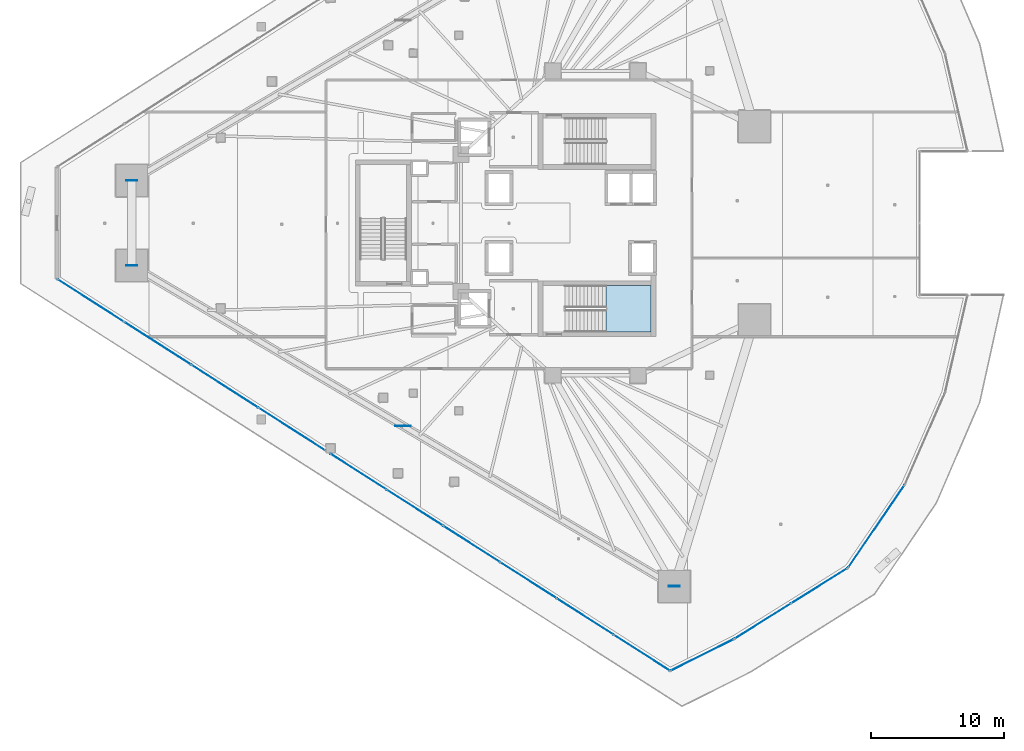
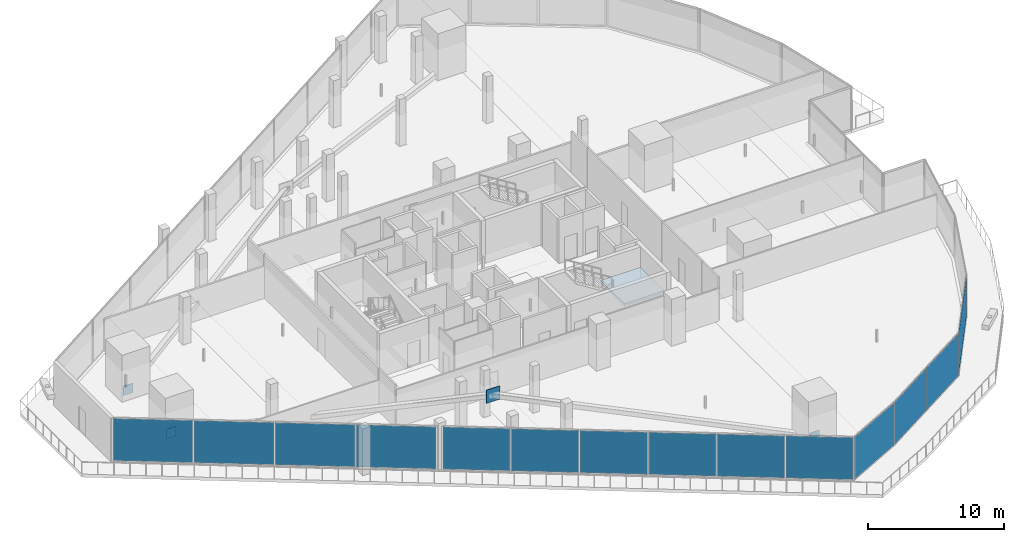
# One storey, part 27 of 43: 18 plates, 1 slab, 6 elements without a shape of their own.
"""IFC4 building model written with IfcOpenShell, lengths in metres."""

from ifc_helpers import new_model, si_unit, direction, frame, origin, origin_2d, place, context, subcontext, project, spatial, polyline, rectangle, outline, extrude, material, layer, layer_set, type_object, element, aggregate, save


model = new_model("IFC4")

# Units and contexts
model_context = context("Model", 3, precision=1e-05, world=origin(), true_north=direction((0.0, 1.0)))
body_context = subcontext(model_context, "Body", "Model", "MODEL_VIEW")
ifc_project = project(units=[si_unit("LENGTHUNIT", "METRE"), si_unit("AREAUNIT", "SQUARE_METRE"), si_unit("VOLUMEUNIT", "CUBIC_METRE"), si_unit("PLANEANGLEUNIT", "RADIAN"), si_unit("MASSUNIT", "GRAM", prefix="KILO")], contexts=[model_context])

# Site, building, storey
site_placement = place(None, origin())
site = spatial("IfcSite", under=ifc_project, at=site_placement, CompositionType="ELEMENT")
building_placement = place(site_placement, origin())
building = spatial("IfcBuilding", under=site, at=building_placement, Name="Qorvath Tower", CompositionType="ELEMENT")
storey_placement = place(building_placement, frame((0.0, 0.0, 36.60009765625)))
storey = spatial("IfcBuildingStorey", under=building, at=storey_placement, Name="L07", CompositionType="ELEMENT", Elevation=36.60009765625)

# Curtain wall, plates
ifc_material_1 = material(Name="Anodised aluminium and triple low-E glass", Category="aluminium")
ifc_layer_1 = layer(ifc_material_1, 0.179931640625)
ifc_layer_set_1 = layer_set([ifc_layer_1], Name="CW-SYS-2")
curtain_wall_type = type_object("IfcCurtainWallType", Name="CW-SYS-2", PredefinedType="NOTDEFINED", material=ifc_layer_set_1)
curtain_wall_1_placement = place(storey_placement, origin())
curtain_wall_1 = element("IfcCurtainWall", 1, at=curtain_wall_1_placement, inside=storey, type_object=curtain_wall_type, Name="Curtain Wall CW-2 CW-T-L07-2.1", PredefinedType="NOTDEFINED")
ifc_material_2 = material(Name="Low-E triple insulated glass", Category="glass")
ifc_layer_2 = layer(ifc_material_2, 0.031982421875)
ifc_layer_set_2 = layer_set([ifc_layer_2], Name="CWP-GLZ-32")
plate_type_1 = type_object("IfcPlateType", Name="CWP-GLZ-32", PredefinedType="CURTAIN_PANEL", material=ifc_layer_set_2)
plate_1_placement = place(storey_placement, frame((-58.363525390625, -5.8349609375, 0.06494140625), z_axis=(0.0, 0.0, 1.0), x_axis=(0.84260714152, -0.538528741164, 0.0)))
plate_1 = element("IfcPlate", 2, at=plate_1_placement, type_object=plate_type_1, Name="CW-2 panel 1.1", PredefinedType="CURTAIN_PANEL", context=body_context, shape_type="SweptSolid", body=[
    extrude(rectangle(XDim=5.895751953125, YDim=0.031982421875, at=origin_2d()), origin(), (0.0, 0.0, 1.0), 3.789794921875),
])
plate_2_placement = place(storey_placement, frame((-53.327392578125, -9.0537109375, 0.06494140625), z_axis=(0.0, 0.0, 1.0), x_axis=(0.84260714152, -0.538528741164, 0.0)))
plate_2 = element("IfcPlate", 3, at=plate_2_placement, type_object=plate_type_1, Name="CW-2 panel 2.1", PredefinedType="CURTAIN_PANEL", context=body_context, shape_type="SweptSolid", body=[
    extrude(rectangle(XDim=5.92822265625, YDim=0.031982421875, at=origin_2d()), origin(), (0.0, 0.0, 1.0), 3.789794921875),
])
plate_3_placement = place(storey_placement, frame((-48.27734375, -12.28125, 0.06494140625), z_axis=(0.0, 0.0, 1.0), x_axis=(0.84260714152, -0.538528741164, 0.0)))
plate_3 = element("IfcPlate", 4, at=plate_3_placement, type_object=plate_type_1, Name="CW-2 panel 3.1", PredefinedType="CURTAIN_PANEL", context=body_context, shape_type="SweptSolid", body=[
    extrude(rectangle(XDim=5.92822265625, YDim=0.031982421875, at=origin_2d()), origin(), (0.0, 0.0, 1.0), 3.789794921875),
])
plate_4_placement = place(storey_placement, frame((-43.240966796875, -15.5, 0.06494140625), z_axis=(0.0, 0.0, 1.0), x_axis=(0.84260714152, -0.538528741164, 0.0)))
plate_4 = element("IfcPlate", 5, at=plate_4_placement, type_object=plate_type_1, Name="CW-2 panel 4.1", PredefinedType="CURTAIN_PANEL", context=body_context, shape_type="SweptSolid", body=[
    extrude(rectangle(XDim=5.895751953125, YDim=0.031982421875, at=origin_2d()), origin(), (0.0, 0.0, 1.0), 3.789794921875),
])
aggregate(curtain_wall_1, [plate_1, plate_2, plate_3, plate_4])

curtain_wall_2_placement = place(storey_placement, origin())
curtain_wall_2 = element("IfcCurtainWall", 6, at=curtain_wall_2_placement, inside=storey, type_object=curtain_wall_type, Name="Curtain Wall CW-2 CW-T-L07-2.2", PredefinedType="NOTDEFINED")
plate_5_placement = place(storey_placement, frame((-38.236328125, -18.698974609375, 0.06494140625), z_axis=(0.0, 0.0, 1.0), x_axis=(0.842604679483, -0.538532593363, 0.0)))
plate_5 = element("IfcPlate", 7, at=plate_5_placement, type_object=plate_type_1, Name="CW-2 panel 1.1", PredefinedType="CURTAIN_PANEL", context=body_context, shape_type="SweptSolid", body=[
    extrude(rectangle(XDim=4.9697265625, YDim=0.031982421875, at=origin_2d()), origin(), (0.0, 0.0, 1.0), 3.789794921875),
])
plate_6_placement = place(storey_placement, frame((-33.98046875, -21.4189453125, 0.06494140625), z_axis=(0.0, 0.0, 1.0), x_axis=(0.842604679483, -0.538532593363, 0.0)))
plate_6 = element("IfcPlate", 8, at=plate_6_placement, type_object=plate_type_1, Name="CW-2 panel 2.1", PredefinedType="CURTAIN_PANEL", context=body_context, shape_type="SweptSolid", body=[
    extrude(rectangle(XDim=5.002197265625, YDim=0.031982421875, at=origin_2d()), origin(), (0.0, 0.0, 1.0), 3.789794921875),
])
plate_7_placement = place(storey_placement, frame((-29.710693359375, -24.147705078125, 0.06494140625), z_axis=(0.0, 0.0, 1.0), x_axis=(0.842604679483, -0.538532593363, 0.0)))
plate_7 = element("IfcPlate", 9, at=plate_7_placement, type_object=plate_type_1, Name="CW-2 panel 3.1", PredefinedType="CURTAIN_PANEL", context=body_context, shape_type="SweptSolid", body=[
    extrude(rectangle(XDim=5.002197265625, YDim=0.031982421875, at=origin_2d()), origin(), (0.0, 0.0, 1.0), 3.789794921875),
])
plate_8_placement = place(storey_placement, frame((-25.441162109375, -26.876708984375, 0.06494140625), z_axis=(0.0, 0.0, 1.0), x_axis=(0.842604679483, -0.538532593363, 0.0)))
plate_8 = element("IfcPlate", 10, at=plate_8_placement, type_object=plate_type_1, Name="CW-2 panel 4.1", PredefinedType="CURTAIN_PANEL", context=body_context, shape_type="SweptSolid", body=[
    extrude(rectangle(XDim=5.002197265625, YDim=0.031982421875, at=origin_2d()), origin(), (0.0, 0.0, 1.0), 3.789794921875),
])
plate_9_placement = place(storey_placement, frame((-21.171630859375, -29.60546875, 0.06494140625), z_axis=(0.0, 0.0, 1.0), x_axis=(0.842604679483, -0.538532593363, 0.0)))
plate_9 = element("IfcPlate", 11, at=plate_9_placement, type_object=plate_type_1, Name="CW-2 panel 5.1", PredefinedType="CURTAIN_PANEL", context=body_context, shape_type="SweptSolid", body=[
    extrude(rectangle(XDim=5.002197265625, YDim=0.031982421875, at=origin_2d()), origin(), (0.0, 0.0, 1.0), 3.789794921875),
])
plate_10_placement = place(storey_placement, frame((-16.91552734375, -32.325439453125, 0.06494140625), z_axis=(0.0, 0.0, 1.0), x_axis=(0.842604679483, -0.538532593363, 0.0)))
plate_10 = element("IfcPlate", 12, at=plate_10_placement, type_object=plate_type_1, Name="CW-2 panel 6.1", PredefinedType="CURTAIN_PANEL", context=body_context, shape_type="SweptSolid", body=[
    extrude(rectangle(XDim=4.9697265625, YDim=0.031982421875, at=origin_2d()), origin(), (0.0, 0.0, 1.0), 3.789794921875),
])
aggregate(curtain_wall_2, [plate_5, plate_6, plate_7, plate_8, plate_9, plate_10])

# Curtain wall, plate
curtain_wall_3_placement = place(storey_placement, origin())
curtain_wall_3 = element("IfcCurtainWall", 13, at=curtain_wall_3_placement, inside=storey, type_object=curtain_wall_type, Name="Curtain Wall CW-2 CW-T-L07-3.1", PredefinedType="NOTDEFINED")
plate_11_placement = place(storey_placement, frame((-12.360107421875, -32.4951171875, 0.06494140625), z_axis=(0.0, 0.0, 1.0), x_axis=(0.894434622514, 0.447198732162, 0.0)))
plate_11 = element("IfcPlate", 14, at=plate_11_placement, type_object=plate_type_1, Name="CW-2 panel 1.1", PredefinedType="CURTAIN_PANEL", context=body_context, shape_type="SweptSolid", body=[
    extrude(rectangle(XDim=5.25244140625, YDim=0.031982421875, at=origin_2d()), origin(), (0.0, 0.0, 1.0), 3.789794921875),
])
aggregate(curtain_wall_3, [plate_11])

# Curtain wall, plates
curtain_wall_4_placement = place(storey_placement, origin())
curtain_wall_4 = element("IfcCurtainWall", 15, at=curtain_wall_4_placement, inside=storey, type_object=curtain_wall_type, Name="Curtain Wall CW-2 CW-T-L07-4.1", PredefinedType="NOTDEFINED")
plate_12_placement = place(storey_placement, frame((-7.798583984375, -29.946044921875, 0.06494140625), z_axis=(0.0, 0.0, 1.0), x_axis=(0.848141855919, 0.529769187701, 0.0)))
plate_12 = element("IfcPlate", 16, at=plate_12_placement, type_object=plate_type_1, Name="CW-2 panel 1.1", PredefinedType="CURTAIN_PANEL", context=body_context, shape_type="SweptSolid", body=[
    extrude(rectangle(XDim=4.949951171875, YDim=0.031982421875, at=origin_2d()), origin(), (0.0, 0.0, 1.0), 3.789794921875),
])
plate_13_placement = place(storey_placement, frame((-3.54541015625, -27.289306640625, 0.06494140625), z_axis=(0.0, 0.0, 1.0), x_axis=(0.848141855919, 0.529769187701, 0.0)))
plate_13 = element("IfcPlate", 17, at=plate_13_placement, type_object=plate_type_1, Name="CW-2 panel 2.1", PredefinedType="CURTAIN_PANEL", context=body_context, shape_type="SweptSolid", body=[
    extrude(rectangle(XDim=4.949951171875, YDim=0.031982421875, at=origin_2d()), origin(), (0.0, 0.0, 1.0), 3.789794921875),
])
aggregate(curtain_wall_4, [plate_12, plate_13])

# Curtain wall, plate
curtain_wall_5_placement = place(storey_placement, origin())
curtain_wall_5 = element("IfcCurtainWall", 18, at=curtain_wall_5_placement, inside=storey, type_object=curtain_wall_type, Name="Curtain Wall CW-2 CW-T-L07-5.1", PredefinedType="NOTDEFINED")
plate_14_placement = place(storey_placement, frame((0.7412109375, -22.82080078125, 0.06494140625), z_axis=(0.0, 0.0, 1.0), x_axis=(0.563869271406, 0.825864059494, 0.0)))
plate_14 = element("IfcPlate", 19, at=plate_14_placement, type_object=plate_type_1, Name="CW-2 panel 1.1", PredefinedType="CURTAIN_PANEL", context=body_context, shape_type="SweptSolid", body=[
    extrude(rectangle(XDim=7.432861328125, YDim=0.031982421875, at=origin_2d()), origin(), (0.0, 0.0, 1.0), 3.789794921875),
])
aggregate(curtain_wall_5, [plate_14])

# Plates
ifc_material_3 = material(Name="Steel ASTM A572 Grade 50", Category="steel")
ifc_layer_3 = layer(ifc_material_3, 0.054931640625)
ifc_layer_set_3 = layer_set([ifc_layer_3], Name="PL-MBN1")
plate_type_2 = type_object("IfcPlateType", Name="PL-MBN1", PredefinedType="USERDEFINED", material=ifc_layer_set_3)
plate_15_placement = place(storey_placement, frame((-34.873779296875, -15.2626953125, 2.9697265625), z_axis=(0.0, 0.0, 1.0), x_axis=(1.0, 0.0, 0.0)))
element("IfcPlate", 20, at=plate_15_placement, inside=storey, type_object=plate_type_2, Name="Mega-Brace Chevron Apex Gusset L07-2", ObjectType="GUSSET", PredefinedType="USERDEFINED", context=body_context, shape_type="SweptSolid", body=[
    extrude(rectangle(XDim=1.14990234375, YDim=0.054931640625, at=origin_2d()), origin(), (0.0, 0.0, 1.0), 1.199951171875),
])
for number, where, z_axis, x_axis, name in (
    (21, (-55.282958984375, 3.194580078125, -0.425048828125), (0.0, 0.0, 1.0), (1.0, 0.0, 0.0), "Brace Strut End Gusset Plate NDBG-074"),
    (22, (-55.282958984375, -3.194580078125, -0.425048828125), (0.0, 0.0, 1.0), (1.0, 0.0, 0.0), "Brace Strut End Gusset Plate NDBG-075"),
    (23, (-14.46435546875, -27.330810546875, -0.425048828125), (0.0, 0.0, 1.0), (1.0, 0.0, 0.0), "Brace Strut End Gusset Plate NDBG-076"),
):
    element("IfcPlate", number, at=place(storey_placement, frame(where, z_axis=z_axis, x_axis=x_axis)), inside=storey, type_object=plate_type_2, Name=name, ObjectType="GUSSET", PredefinedType="USERDEFINED", context=body_context, shape_type="SweptSolid", body=[
        extrude(rectangle(XDim=0.800048828125, YDim=0.054931640625, at=origin_2d()), origin(), (0.0, 0.0, 1.0), 0.85009765625),
    ])

# Stair, slab
ifc_material_4 = material(Name="Concrete C50/60", Category="concrete")
stair_type = type_object("IfcStairType", Name="ST-H420", PredefinedType="HALF_TURN_STAIR", material=ifc_material_4)
stair_placement = place(storey_placement, origin())
stair = element("IfcStair", 24, at=stair_placement, inside=storey, type_object=stair_type, Name="L07 Tower Exit Stair 2", PredefinedType="HALF_TURN_STAIR")
ifc_material_5 = material(Name="Concrete C50/60", Category="concrete")
ifc_layer_4 = layer(ifc_material_5, 0.199951171875)
ifc_layer_set_4 = layer_set([ifc_layer_4], Name="SL-LND-200")
slab_type = type_object("IfcSlabType", Name="SL-LND-200", PredefinedType="LANDING", material=ifc_layer_set_4)
slab_placement = place(storey_placement, frame((0.0, 0.0, 1.89990234375)))
slab = element("IfcSlab", 25, at=slab_placement, type_object=slab_type, Name="TS2 landing 1", PredefinedType="LANDING", context=body_context, shape_type="SweptSolid", body=[
    extrude(outline(polyline([(-19.590087890625, -8.199951171875), (-16.199951171875, -8.199951171875), (-16.199951171875, -4.68994140625), (-19.590087890625, -4.68994140625), (-19.590087890625, -8.199951171875)])), origin(), (0.0, 0.0, 1.0), 0.199951171875),
])
aggregate(stair, [slab])

save(model, "model.ifc")
